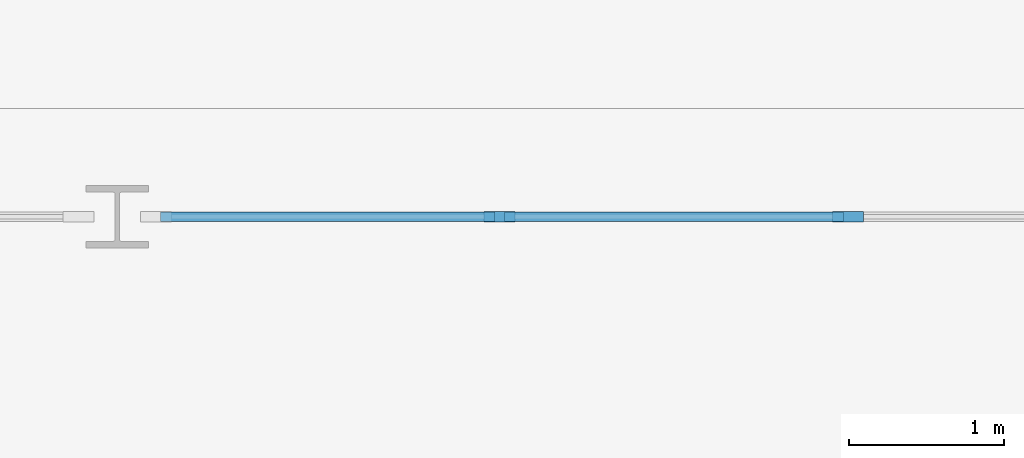
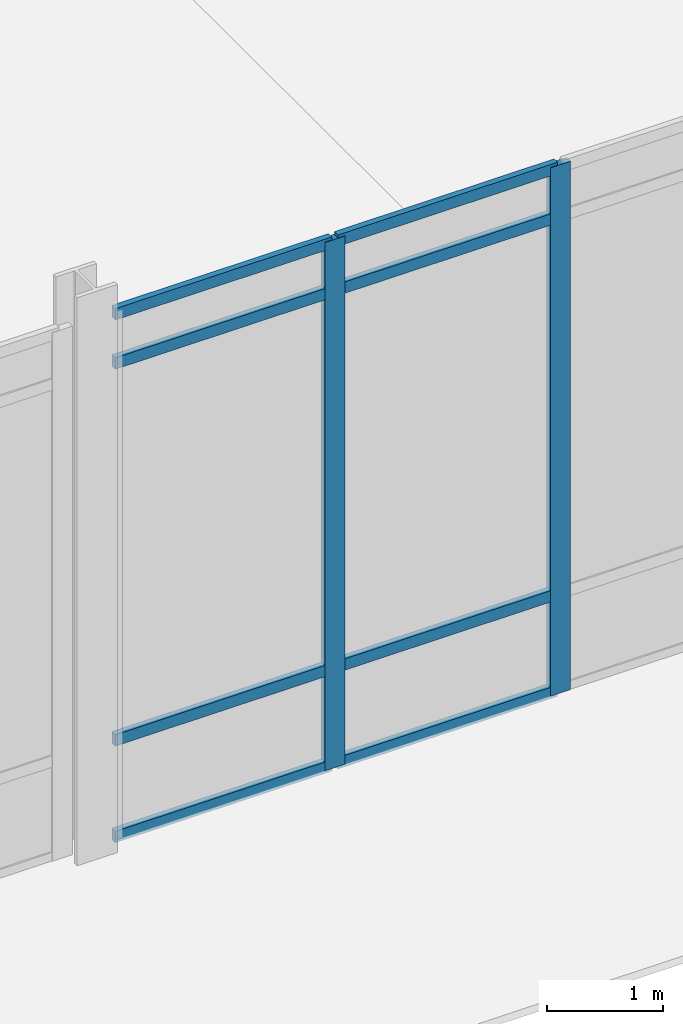
# One storey, part 21 of 104: 10 members, 1 element without a shape of its own.
"""IFC4 building model written with IfcOpenShell, lengths in metres."""

from ifc_helpers import new_model, si_unit, direction, frame, origin, origin_2d, place, context, subcontext, project, spatial, rectangle, extrude, material, material_profile, profile_set, type_object, element, aggregate, save


model = new_model("IFC4")

# Units and contexts
model_context = context("Model", 3, precision=1e-05, world=origin(), true_north=direction((0.0, 1.0)))
body_context = subcontext(model_context, "Body", "Model", "MODEL_VIEW")
ifc_project = project(units=[si_unit("LENGTHUNIT", "METRE"), si_unit("AREAUNIT", "SQUARE_METRE"), si_unit("VOLUMEUNIT", "CUBIC_METRE"), si_unit("PLANEANGLEUNIT", "RADIAN"), si_unit("MASSUNIT", "GRAM", prefix="KILO")], contexts=[model_context])

# Site, building, storey
site_placement = place(None, origin())
site = spatial("IfcSite", under=ifc_project, at=site_placement, CompositionType="ELEMENT")
building_placement = place(site_placement, origin())
building = spatial("IfcBuilding", under=site, at=building_placement, Name="Vaelcorin Mobility Hub", CompositionType="ELEMENT")
storey_placement = place(building_placement, origin())
storey = spatial("IfcBuildingStorey", under=building, at=storey_placement, Name="L00", CompositionType="ELEMENT", Elevation=0.0)

# Curtain wall, members
ifc_material = material(Name="Anodised aluminium 6063-T6", Category="aluminium")
curtain_wall_type = type_object("IfcCurtainWallType", Name="CW-CONC-A", PredefinedType="NOTDEFINED", material=ifc_material)
curtain_wall_placement = place(storey_placement, origin())
curtain_wall = element("IfcCurtainWall", 1, at=curtain_wall_placement, inside=storey, type_object=curtain_wall_type, Name="L00 Curtain Wall CW-V1-S-05", PredefinedType="NOTDEFINED")
ifc_material_profile_1 = material_profile(ifc_material, rectangle(XDim=0.070068359375, YDim=0.199951171875, at=origin_2d()), Name="ALU-M70X200")
ifc_profile_set_1 = profile_set([ifc_material_profile_1], Name="Anodised aluminium 6063-T6")
member_type_1 = type_object("IfcMemberType", Name="CW-MULL-200", PredefinedType="MULLION", material=ifc_profile_set_1)
member_1_placement = place(storey_placement, frame((69.526611328125, 6.0, 0.0), z_axis=(0.0, 0.0, 1.0), x_axis=(0.0, -1.0, 0.0)))
member_1 = element("IfcMember", 2, at=member_1_placement, type_object=member_type_1, Name="CW1 mullion 2", PredefinedType="MULLION", context=body_context, shape_type="SweptSolid", body=[
    extrude(rectangle(XDim=0.070068359375, YDim=0.199951171875, at=origin_2d()), origin(), (0.0, 0.0, 1.0), 5.580078125),
])
member_2_placement = place(storey_placement, frame((67.2734375, 6.0, 0.0), z_axis=(0.0, 0.0, 1.0), x_axis=(0.0, -1.0, 0.0)))
member_2 = element("IfcMember", 3, at=member_2_placement, type_object=member_type_1, Name="CW1 mullion 3", PredefinedType="MULLION", context=body_context, shape_type="SweptSolid", body=[
    extrude(rectangle(XDim=0.070068359375, YDim=0.199951171875, at=origin_2d()), origin(), (0.0, 0.0, 1.0), 5.580078125),
])
ifc_material_profile_2 = material_profile(ifc_material, rectangle(XDim=0.06005859375, YDim=0.1201171875, at=origin_2d()), Name="ALU-T60X120")
ifc_profile_set_2 = profile_set([ifc_material_profile_2], Name="Anodised aluminium 6063-T6")
member_type_2 = type_object("IfcMemberType", Name="CW-TRAN-140", PredefinedType="USERDEFINED", material=ifc_profile_set_2)
member_3_placement = place(storey_placement, frame((69.49658203125, 6.0, 0.030029296875), z_axis=(-1.0, 0.0, 0.0), x_axis=(0.0, -1.0, 0.0)))
member_3 = element("IfcMember", 4, at=member_3_placement, type_object=member_type_2, Name="CW1 transom 2.1", ObjectType="TRANSOM", PredefinedType="USERDEFINED", context=body_context, shape_type="SweptSolid", body=[
    extrude(rectangle(XDim=0.06005859375, YDim=0.1201171875, at=origin_2d()), origin(), (0.0, 0.0, 1.0), 2.193359375),
])
member_4_placement = place(storey_placement, frame((69.49658203125, 6.0, 1.050048828125), z_axis=(-1.0, 0.0, 0.0), x_axis=(0.0, -1.0, 0.0)))
member_4 = element("IfcMember", 5, at=member_4_placement, type_object=member_type_2, Name="CW1 transom 2.2", ObjectType="TRANSOM", PredefinedType="USERDEFINED", context=body_context, shape_type="SweptSolid", body=[
    extrude(rectangle(XDim=0.06005859375, YDim=0.1201171875, at=origin_2d()), origin(), (0.0, 0.0, 1.0), 2.193359375),
])
member_5_placement = place(storey_placement, frame((69.49658203125, 6.0, 5.030029296875), z_axis=(-1.0, 0.0, 0.0), x_axis=(0.0, -1.0, 0.0)))
member_5 = element("IfcMember", 6, at=member_5_placement, type_object=member_type_2, Name="CW1 transom 2.3", ObjectType="TRANSOM", PredefinedType="USERDEFINED", context=body_context, shape_type="SweptSolid", body=[
    extrude(rectangle(XDim=0.06005859375, YDim=0.1201171875, at=origin_2d()), origin(), (0.0, 0.0, 1.0), 2.193359375),
])
member_6_placement = place(storey_placement, frame((69.49658203125, 6.0, 5.550048828125), z_axis=(-1.0, 0.0, 0.0), x_axis=(0.0, -1.0, 0.0)))
member_6 = element("IfcMember", 7, at=member_6_placement, type_object=member_type_2, Name="CW1 transom 2.4", ObjectType="TRANSOM", PredefinedType="USERDEFINED", context=body_context, shape_type="SweptSolid", body=[
    extrude(rectangle(XDim=0.06005859375, YDim=0.1201171875, at=origin_2d()), origin(), (0.0, 0.0, 1.0), 2.193359375),
])
member_7_placement = place(storey_placement, frame((67.243408203125, 6.0, 0.030029296875), z_axis=(-1.0, 0.0, 0.0), x_axis=(0.0, -1.0, 0.0)))
member_7 = element("IfcMember", 8, at=member_7_placement, type_object=member_type_2, Name="CW1 transom 3.1", ObjectType="TRANSOM", PredefinedType="USERDEFINED", context=body_context, shape_type="SweptSolid", body=[
    extrude(rectangle(XDim=0.06005859375, YDim=0.1201171875, at=origin_2d()), origin(), (0.0, 0.0, 1.0), 2.163330078125),
])
member_8_placement = place(storey_placement, frame((67.243408203125, 6.0, 1.050048828125), z_axis=(-1.0, 0.0, 0.0), x_axis=(0.0, -1.0, 0.0)))
member_8 = element("IfcMember", 9, at=member_8_placement, type_object=member_type_2, Name="CW1 transom 3.2", ObjectType="TRANSOM", PredefinedType="USERDEFINED", context=body_context, shape_type="SweptSolid", body=[
    extrude(rectangle(XDim=0.06005859375, YDim=0.1201171875, at=origin_2d()), origin(), (0.0, 0.0, 1.0), 2.163330078125),
])
member_9_placement = place(storey_placement, frame((67.243408203125, 6.0, 5.030029296875), z_axis=(-1.0, 0.0, 0.0), x_axis=(0.0, -1.0, 0.0)))
member_9 = element("IfcMember", 10, at=member_9_placement, type_object=member_type_2, Name="CW1 transom 3.3", ObjectType="TRANSOM", PredefinedType="USERDEFINED", context=body_context, shape_type="SweptSolid", body=[
    extrude(rectangle(XDim=0.06005859375, YDim=0.1201171875, at=origin_2d()), origin(), (0.0, 0.0, 1.0), 2.163330078125),
])
member_10_placement = place(storey_placement, frame((67.243408203125, 6.0, 5.550048828125), z_axis=(-1.0, 0.0, 0.0), x_axis=(0.0, -1.0, 0.0)))
member_10 = element("IfcMember", 11, at=member_10_placement, type_object=member_type_2, Name="CW1 transom 3.4", ObjectType="TRANSOM", PredefinedType="USERDEFINED", context=body_context, shape_type="SweptSolid", body=[
    extrude(rectangle(XDim=0.06005859375, YDim=0.1201171875, at=origin_2d()), origin(), (0.0, 0.0, 1.0), 2.163330078125),
])
aggregate(curtain_wall, [member_1, member_2, member_3, member_4, member_5, member_6, member_7, member_8, member_9, member_10])

save(model, "model.ifc")
